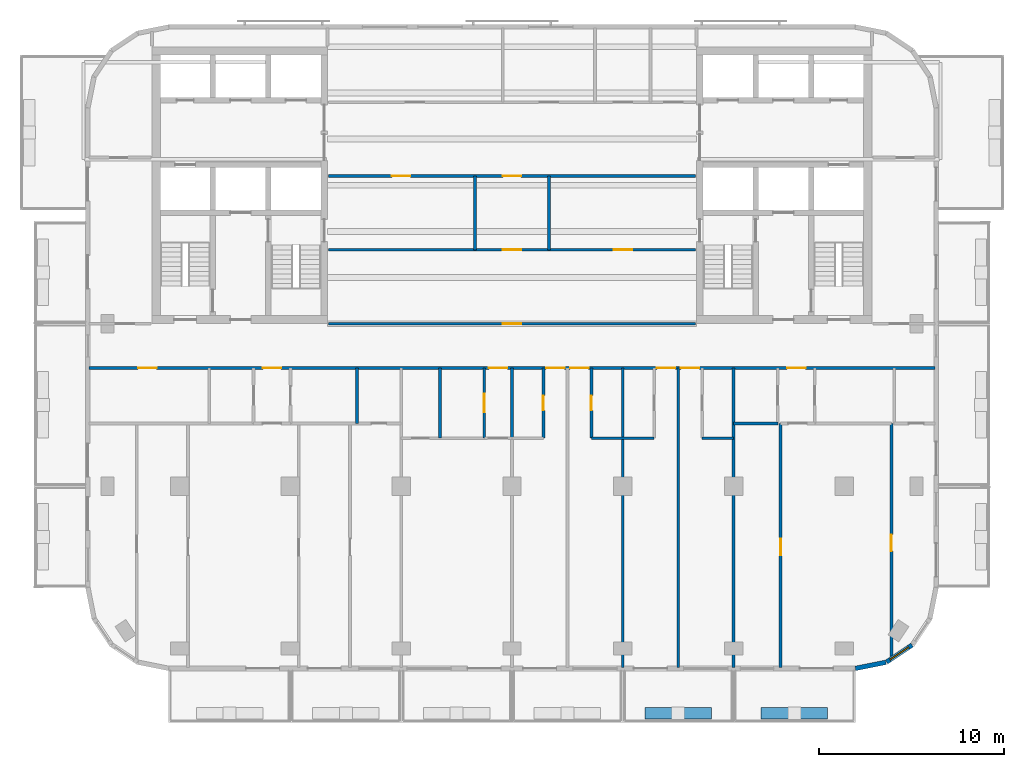
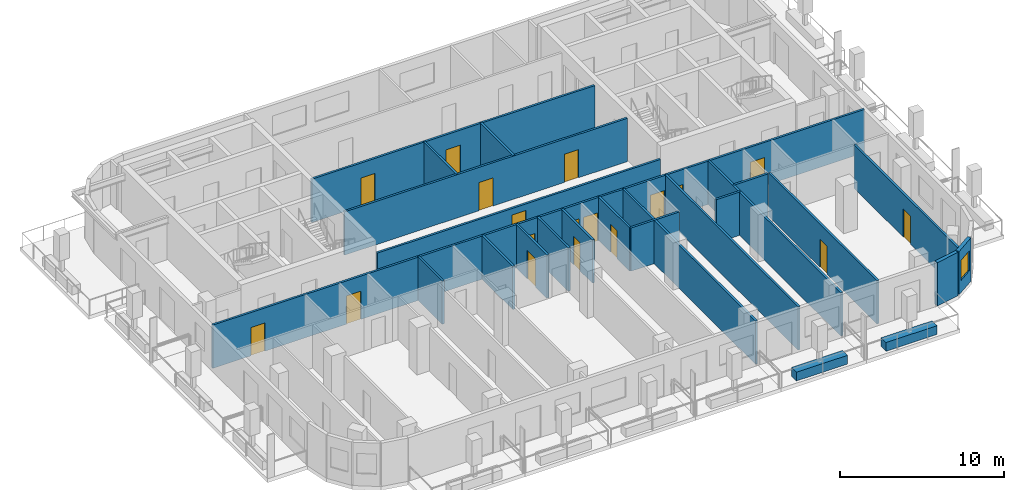
# One storey, part 4 of 11: 24 walls, 18 doors, 1 window, 19 openings.
"""IFC4 building model written with IfcOpenShell, lengths in metres."""

from ifc_helpers import new_model, si_unit, direction, frame, frame_2d, origin, place, context, subcontext, project, spatial, rectangle, extrude, material, layer, layer_set, type_object, element, fill, save


model = new_model("IFC4")

# Units and contexts
model_context = context("Model", 3, precision=1e-05, world=origin(), true_north=direction((0.0, 1.0)))
body_context = subcontext(model_context, "Body", "Model", "MODEL_VIEW")
ifc_project = project(units=[si_unit("LENGTHUNIT", "METRE"), si_unit("AREAUNIT", "SQUARE_METRE"), si_unit("VOLUMEUNIT", "CUBIC_METRE"), si_unit("PLANEANGLEUNIT", "RADIAN"), si_unit("MASSUNIT", "GRAM", prefix="KILO")], contexts=[model_context])

# Site, building, storey
site_placement = place(None, origin())
site = spatial("IfcSite", under=ifc_project, at=site_placement, CompositionType="ELEMENT")
building_placement = place(site_placement, origin())
building = spatial("IfcBuilding", under=site, at=building_placement, Name="Torana Hotel and Residences", CompositionType="ELEMENT")
storey_placement = place(building_placement, frame((0.0, 0.0, 280.60009765625)))
storey = spatial("IfcBuildingStorey", under=building, at=storey_placement, Name="L74", CompositionType="ELEMENT", Elevation=280.60009765625)

# Wall
ifc_material_1 = material(Name="Black aluminium composite panel", Category="aluminium")
ifc_layer_1 = layer(ifc_material_1, 0.00390625, Name="Cladding", Category="cladding")
ifc_material_2 = material(Name="Ventilated air cavity")
ifc_layer_2 = layer(ifc_material_2, 0.0400390625, Name="Ventilated cavity", Category="cavity")
ifc_material_3 = material(Name="Mineral wool insulation")
ifc_layer_3 = layer(ifc_material_3, 0.090087890625, Name="Insulation", Category="insulation")
ifc_material_4 = material(Name="Steel S280GD", Category="steel")
ifc_layer_4 = layer(ifc_material_4, 0.092041015625, Name="Steel stud frame", Category="structure")
ifc_material_5 = material(Name="Fire rated plasterboard")
ifc_layer_5 = layer(ifc_material_5, 0.011962890625, Name="Inner board", Category="finish")
ifc_layer_6 = layer(ifc_material_5, 0.011962890625, Name="Second board", Category="finish")
ifc_layer_set_1 = layer_set([ifc_layer_1, ifc_layer_2, ifc_layer_3, ifc_layer_4, ifc_layer_5, ifc_layer_6], Name="EW1 EXTERNAL WALL BLACK METAL CLAD 250")
wall_type_1 = type_object("IfcWallType", Name="EW1 EXTERNAL WALL BLACK METAL CLAD 250", PredefinedType="SOLIDWALL", material=ifc_layer_set_1)
wall_1_placement = place(storey_placement, frame((18.599853515625, -33.672607421875, 0.0), z_axis=(0.0, 0.0, 1.0), x_axis=(0.980770110232, 0.195166572128, 0.0)))
element("IfcWall", 1, at=wall_1_placement, inside=storey, type_object=wall_type_1, Name="External wall L74 e0.15", PredefinedType="SOLIDWALL", context=body_context, shape_type="SweptSolid", body=[
    extrude(rectangle(XDim=1.68115234375, YDim=0.25, at=frame_2d((0.840576171875, 0.0))), origin(), (0.0, 0.0, 1.0), 3.219970703125),
])

# Wall, opening, window
wall_2_placement = place(storey_placement, frame((20.2939453125, -33.325927734375, 0.0), z_axis=(0.0, 0.0, 1.0), x_axis=(0.831482937015, 0.55555029066, 0.0)))
wall_2 = element("IfcWall", 2, at=wall_2_placement, inside=storey, type_object=wall_type_1, Name="External wall L74 e0.16", PredefinedType="SOLIDWALL", context=body_context, shape_type="SweptSolid", body=[
    extrude(rectangle(XDim=1.65625, YDim=0.25, at=frame_2d((0.828125, 0.0))), origin(), (0.0, 0.0, 1.0), 3.219970703125),
])
opening_1_placement = place(wall_2_placement, frame((0.228271484375, 0.0, 0.89990234375)))
opening_1 = element("IfcOpeningElement", 3, at=opening_1_placement, cuts=wall_2, Name="Opening W5", PredefinedType="OPENING", context=body_context, shape_type="SweptSolid", body=[
    extrude(rectangle(XDim=1.199951171875, YDim=1.5, at=frame_2d((0.60009765625, 0.75))), frame((0.0, 0.135009765625, 0.0), z_axis=(0.0, -1.0, 0.0), x_axis=(1.0, 0.0, 0.0)), (0.0, 0.0, 1.0), 0.27001953125),
])
ifc_material_6 = material(Name="Dark glass in black aluminium frame", Category="aluminium")
window_type = type_object("IfcWindowType", Name="W5 CORNER FACET WINDOW 1200x1500", PartitioningType="SINGLE_PANEL", PredefinedType="WINDOW", material=ifc_material_6)
window_placement = place(opening_1_placement, origin())
window = element("IfcWindow", 4, at=window_placement, inside=storey, type_object=window_type, Name="Window L74 e0.16", OverallHeight=1.5, OverallWidth=1.199951171875, PartitioningType="SINGLE_PANEL", PredefinedType="WINDOW", context=body_context, shape_type="SweptSolid", body=[
    extrude(rectangle(XDim=1.199951171875, YDim=1.5, at=frame_2d((0.60009765625, 0.75))), frame((0.0, 0.030029296875, 0.0), z_axis=(0.0, -1.0, 0.0), x_axis=(1.0, 0.0, 0.0)), (0.0, 0.0, 1.0), 0.06005859375),
])
fill(opening_1, window)

# Walls
ifc_material_7 = material(Name="Gypsum plaster")
ifc_layer_7 = layer(ifc_material_7, 0.014892578125, Name="Plaster", Category="finish")
ifc_material_8 = material(Name="Concrete blockwork", Category="masonry")
ifc_layer_8 = layer(ifc_material_8, 0.1201171875, Name="Blockwork", Category="structure")
ifc_layer_9 = layer(ifc_material_7, 0.014892578125, Name="Plaster", Category="finish")
ifc_layer_set_2 = layer_set([ifc_layer_7, ifc_layer_8, ifc_layer_9], Name="FIRE PARTITION 150 BLOCKWORK")
wall_type_2 = type_object("IfcWallType", Name="FIRE PARTITION 150 BLOCKWORK", PredefinedType="PARTITIONING", material=ifc_layer_set_2)
wall_3_placement = place(storey_placement, frame((2.0, -11.0, 0.0), z_axis=(0.0, 0.0, 1.0), x_axis=(0.0, 1.0, 0.0)))
element("IfcWall", 5, at=wall_3_placement, inside=storey, type_object=wall_type_2, Name="Partition L74", PredefinedType="PARTITIONING", context=body_context, shape_type="SweptSolid", body=[
    extrude(rectangle(XDim=4.0, YDim=0.14990234375, at=frame_2d((2.0, 0.0))), origin(), (0.0, 0.0, 1.0), 3.219970703125),
])
wall_4_placement = place(storey_placement, frame((0.0, -21.199951171875, 0.0), z_axis=(0.0, 0.0, 1.0), x_axis=(0.0, 1.0, 0.0)))
element("IfcWall", 6, at=wall_4_placement, inside=storey, type_object=wall_type_2, Name="Partition L74", PredefinedType="PARTITIONING", context=body_context, shape_type="SweptSolid", body=[
    extrude(rectangle(XDim=3.800048828125, YDim=0.14990234375, at=frame_2d((1.89990234375, 0.0))), origin(), (0.0, 0.0, 1.0), 3.219970703125),
])

# Wall, opening, door
wall_5_placement = place(storey_placement, frame((-1.5, -21.199951171875, 0.0), z_axis=(0.0, 0.0, 1.0), x_axis=(0.0, 1.0, 0.0)))
wall_5 = element("IfcWall", 7, at=wall_5_placement, inside=storey, type_object=wall_type_2, Name="Partition L74", PredefinedType="PARTITIONING", context=body_context, shape_type="SweptSolid", body=[
    extrude(rectangle(XDim=3.800048828125, YDim=0.14990234375, at=frame_2d((1.89990234375, 0.0))), origin(), (0.0, 0.0, 1.0), 3.219970703125),
])
opening_2_placement = place(wall_5_placement, frame((1.39990234375, 0.0, 0.0)))
opening_2 = element("IfcOpeningElement", 8, at=opening_2_placement, cuts=wall_5, Name="Opening L74-37", PredefinedType="OPENING", context=body_context, shape_type="SweptSolid", body=[
    extrude(rectangle(XDim=1.0, YDim=2.10009765625, at=frame_2d((0.5, 1.050048828125))), frame((0.0, 0.0849609375, 0.0), z_axis=(0.0, -1.0, 0.0), x_axis=(1.0, 0.0, 0.0)), (0.0, 0.0, 1.0), 0.169921875),
])
ifc_material_9 = material(Name="Steel S235", Category="steel")
door_type_1 = type_object("IfcDoorType", Name="ENTRY FIRE DOOR D6 1000x2100", OperationType="SINGLE_SWING_LEFT", PredefinedType="DOOR", material=ifc_material_9)
door_1_placement = place(opening_2_placement, origin())
door_1 = element("IfcDoor", 9, at=door_1_placement, inside=storey, type_object=door_type_1, Name="Door L74", OperationType="SINGLE_SWING_RIGHT", OverallHeight=2.10009765625, OverallWidth=1.0, PredefinedType="DOOR", context=body_context, shape_type="SweptSolid", body=[
    extrude(rectangle(XDim=1.0, YDim=2.10009765625, at=frame_2d((0.5, 1.050048828125))), frame((0.0, 0.02490234375, 0.0), z_axis=(0.0, -1.0, 0.0), x_axis=(1.0, 0.0, 0.0)), (0.0, 0.0, 1.0), 0.050048828125),
])
fill(opening_2, door_1)

# Wall
wall_6_placement = place(storey_placement, frame((-2.0, -11.0, 0.0), z_axis=(0.0, 0.0, 1.0), x_axis=(0.0, 1.0, 0.0)))
element("IfcWall", 10, at=wall_6_placement, inside=storey, type_object=wall_type_2, Name="Partition L74", PredefinedType="PARTITIONING", context=body_context, shape_type="SweptSolid", body=[
    extrude(rectangle(XDim=4.0, YDim=0.14990234375, at=frame_2d((2.0, 0.0))), origin(), (0.0, 0.0, 1.0), 3.219970703125),
])

# Wall, openings, doors
wall_7_placement = place(storey_placement, frame((-22.919921875, -17.39990234375, 0.0), z_axis=(0.0, 0.0, 1.0), x_axis=(1.0, 0.0, 0.0)))
wall_7 = element("IfcWall", 11, at=wall_7_placement, inside=storey, type_object=wall_type_2, Name="Partition L74", PredefinedType="PARTITIONING", context=body_context, shape_type="SweptSolid", body=[
    extrude(rectangle(XDim=45.83984375, YDim=0.14990234375, at=frame_2d((22.919921875, 0.0))), origin(), (0.0, 0.0, 1.0), 3.219970703125),
])
opening_3_placement = place(wall_7_placement, frame((21.669921875, 0.0, 0.0)))
opening_3 = element("IfcOpeningElement", 12, at=opening_3_placement, cuts=wall_7, Name="Opening L74-18", PredefinedType="OPENING", context=body_context, shape_type="SweptSolid", body=[
    extrude(rectangle(XDim=1.0, YDim=2.10009765625, at=frame_2d((0.5, 1.050048828125))), frame((0.0, 0.0849609375, 0.0), z_axis=(0.0, -1.0, 0.0), x_axis=(1.0, 0.0, 0.0)), (0.0, 0.0, 1.0), 0.169921875),
])
opening_4_placement = place(wall_7_placement, frame((24.77001953125, 0.0, 0.0)))
opening_4 = element("IfcOpeningElement", 13, at=opening_4_placement, cuts=wall_7, Name="Opening L74-19", PredefinedType="OPENING", context=body_context, shape_type="SweptSolid", body=[
    extrude(rectangle(XDim=1.0, YDim=2.10009765625, at=frame_2d((0.5, 1.050048828125))), frame((0.0, 0.0849609375, 0.0), z_axis=(0.0, -1.0, 0.0), x_axis=(1.0, 0.0, 0.0)), (0.0, 0.0, 1.0), 0.169921875),
])
opening_5_placement = place(wall_7_placement, frame((26.070068359375, 0.0, 0.0)))
opening_5 = element("IfcOpeningElement", 14, at=opening_5_placement, cuts=wall_7, Name="Opening L74-20", PredefinedType="OPENING", context=body_context, shape_type="SweptSolid", body=[
    extrude(rectangle(XDim=1.0, YDim=2.10009765625, at=frame_2d((0.5, 1.050048828125))), frame((0.0, 0.0849609375, 0.0), z_axis=(0.0, -1.0, 0.0), x_axis=(1.0, 0.0, 0.0)), (0.0, 0.0, 1.0), 0.169921875),
])
opening_6_placement = place(wall_7_placement, frame((30.77001953125, 0.0, 0.0)))
opening_6 = element("IfcOpeningElement", 15, at=opening_6_placement, cuts=wall_7, Name="Opening L74-21", PredefinedType="OPENING", context=body_context, shape_type="SweptSolid", body=[
    extrude(rectangle(XDim=1.0, YDim=2.10009765625, at=frame_2d((0.5, 1.050048828125))), frame((0.0, 0.0849609375, 0.0), z_axis=(0.0, -1.0, 0.0), x_axis=(1.0, 0.0, 0.0)), (0.0, 0.0, 1.0), 0.169921875),
])
opening_7_placement = place(wall_7_placement, frame((32.070068359375, 0.0, 0.0)))
opening_7 = element("IfcOpeningElement", 16, at=opening_7_placement, cuts=wall_7, Name="Opening L74-22", PredefinedType="OPENING", context=body_context, shape_type="SweptSolid", body=[
    extrude(rectangle(XDim=1.0, YDim=2.10009765625, at=frame_2d((0.5, 1.050048828125))), frame((0.0, 0.0849609375, 0.0), z_axis=(0.0, -1.0, 0.0), x_axis=(1.0, 0.0, 0.0)), (0.0, 0.0, 1.0), 0.169921875),
])
opening_8_placement = place(wall_7_placement, frame((9.419921875, 0.0, 0.0)))
opening_8 = element("IfcOpeningElement", 17, at=opening_8_placement, cuts=wall_7, Name="Opening L74-23", PredefinedType="OPENING", context=body_context, shape_type="SweptSolid", body=[
    extrude(rectangle(XDim=1.0, YDim=2.10009765625, at=frame_2d((0.5, 1.050048828125))), frame((0.0, 0.0849609375, 0.0), z_axis=(0.0, -1.0, 0.0), x_axis=(1.0, 0.0, 0.0)), (0.0, 0.0, 1.0), 0.169921875),
])
opening_9_placement = place(wall_7_placement, frame((2.669921875, 0.0, 0.0)))
opening_9 = element("IfcOpeningElement", 18, at=opening_9_placement, cuts=wall_7, Name="Opening L74-24", PredefinedType="OPENING", context=body_context, shape_type="SweptSolid", body=[
    extrude(rectangle(XDim=1.0, YDim=2.10009765625, at=frame_2d((0.5, 1.050048828125))), frame((0.0, 0.0849609375, 0.0), z_axis=(0.0, -1.0, 0.0), x_axis=(1.0, 0.0, 0.0)), (0.0, 0.0, 1.0), 0.169921875),
])
opening_10_placement = place(wall_7_placement, frame((37.820068359375, 0.0, 0.0)))
opening_10 = element("IfcOpeningElement", 19, at=opening_10_placement, cuts=wall_7, Name="Opening L74-25", PredefinedType="OPENING", context=body_context, shape_type="SweptSolid", body=[
    extrude(rectangle(XDim=1.0, YDim=2.10009765625, at=frame_2d((0.5, 1.050048828125))), frame((0.0, 0.0849609375, 0.0), z_axis=(0.0, -1.0, 0.0), x_axis=(1.0, 0.0, 0.0)), (0.0, 0.0, 1.0), 0.169921875),
])
door_2_placement = place(opening_3_placement, origin())
door_2 = element("IfcDoor", 20, at=door_2_placement, inside=storey, type_object=door_type_1, Name="Door L74", OperationType="SINGLE_SWING_RIGHT", OverallHeight=2.10009765625, OverallWidth=1.0, PredefinedType="DOOR", context=body_context, shape_type="SweptSolid", body=[
    extrude(rectangle(XDim=1.0, YDim=2.10009765625, at=frame_2d((0.5, 1.050048828125))), frame((0.0, 0.02490234375, 0.0), z_axis=(0.0, -1.0, 0.0), x_axis=(1.0, 0.0, 0.0)), (0.0, 0.0, 1.0), 0.050048828125),
])
fill(opening_3, door_2)
door_3_placement = place(opening_4_placement, frame((0.5, 0.0, 0.0), z_axis=(0.0, 0.0, 1.0), x_axis=(-1.0, 0.0, 0.0)))
door_3 = element("IfcDoor", 21, at=door_3_placement, inside=storey, type_object=door_type_1, Name="Door L74", OperationType="SINGLE_SWING_LEFT", OverallHeight=2.10009765625, OverallWidth=1.0, PredefinedType="DOOR", context=body_context, shape_type="SweptSolid", body=[
    extrude(rectangle(XDim=1.0, YDim=2.10009765625, at=frame_2d((0.0, 1.050048828125))), frame((0.0, -0.02490234375, 0.0), z_axis=(0.0, 1.0, 0.0), x_axis=(-1.0, 0.0, 0.0)), (0.0, 0.0, 1.0), 0.050048828125),
])
fill(opening_4, door_3)
door_4_placement = place(opening_5_placement, frame((0.5, 0.0, 0.0), z_axis=(0.0, 0.0, 1.0), x_axis=(-1.0, 0.0, 0.0)))
door_4 = element("IfcDoor", 22, at=door_4_placement, inside=storey, type_object=door_type_1, Name="Door L74", OperationType="SINGLE_SWING_LEFT", OverallHeight=2.10009765625, OverallWidth=1.0, PredefinedType="DOOR", context=body_context, shape_type="SweptSolid", body=[
    extrude(rectangle(XDim=1.0, YDim=2.10009765625, at=frame_2d((0.0, 1.050048828125))), frame((0.0, -0.02490234375, 0.0), z_axis=(0.0, 1.0, 0.0), x_axis=(-1.0, 0.0, 0.0)), (0.0, 0.0, 1.0), 0.050048828125),
])
fill(opening_5, door_4)
door_5_placement = place(opening_6_placement, frame((0.5, 0.0, 0.0), z_axis=(0.0, 0.0, 1.0), x_axis=(-1.0, 0.0, 0.0)))
door_5 = element("IfcDoor", 23, at=door_5_placement, inside=storey, type_object=door_type_1, Name="Door L74", OperationType="SINGLE_SWING_LEFT", OverallHeight=2.10009765625, OverallWidth=1.0, PredefinedType="DOOR", context=body_context, shape_type="SweptSolid", body=[
    extrude(rectangle(XDim=1.0, YDim=2.10009765625, at=frame_2d((0.0, 1.050048828125))), frame((0.0, -0.02490234375, 0.0), z_axis=(0.0, 1.0, 0.0), x_axis=(-1.0, 0.0, 0.0)), (0.0, 0.0, 1.0), 0.050048828125),
])
fill(opening_6, door_5)
door_6_placement = place(opening_7_placement, frame((0.5, 0.0, 0.0), z_axis=(0.0, 0.0, 1.0), x_axis=(-1.0, 0.0, 0.0)))
door_6 = element("IfcDoor", 24, at=door_6_placement, inside=storey, type_object=door_type_1, Name="Door L74", OperationType="SINGLE_SWING_LEFT", OverallHeight=2.10009765625, OverallWidth=1.0, PredefinedType="DOOR", context=body_context, shape_type="SweptSolid", body=[
    extrude(rectangle(XDim=1.0, YDim=2.10009765625, at=frame_2d((0.0, 1.050048828125))), frame((0.0, -0.02490234375, 0.0), z_axis=(0.0, 1.0, 0.0), x_axis=(-1.0, 0.0, 0.0)), (0.0, 0.0, 1.0), 0.050048828125),
])
fill(opening_7, door_6)
door_7_placement = place(opening_8_placement, origin())
door_7 = element("IfcDoor", 25, at=door_7_placement, inside=storey, type_object=door_type_1, Name="Door L74", OperationType="SINGLE_SWING_RIGHT", OverallHeight=2.10009765625, OverallWidth=1.0, PredefinedType="DOOR", context=body_context, shape_type="SweptSolid", body=[
    extrude(rectangle(XDim=1.0, YDim=2.10009765625, at=frame_2d((0.5, 1.050048828125))), frame((0.0, 0.02490234375, 0.0), z_axis=(0.0, -1.0, 0.0), x_axis=(1.0, 0.0, 0.0)), (0.0, 0.0, 1.0), 0.050048828125),
])
fill(opening_8, door_7)
door_8_placement = place(opening_9_placement, frame((0.5, 0.0, 0.0), z_axis=(0.0, 0.0, 1.0), x_axis=(-1.0, 0.0, 0.0)))
door_8 = element("IfcDoor", 26, at=door_8_placement, inside=storey, type_object=door_type_1, Name="Door L74", OperationType="SINGLE_SWING_LEFT", OverallHeight=2.10009765625, OverallWidth=1.0, PredefinedType="DOOR", context=body_context, shape_type="SweptSolid", body=[
    extrude(rectangle(XDim=1.0, YDim=2.10009765625, at=frame_2d((0.0, 1.050048828125))), frame((0.0, -0.02490234375, 0.0), z_axis=(0.0, 1.0, 0.0), x_axis=(-1.0, 0.0, 0.0)), (0.0, 0.0, 1.0), 0.050048828125),
])
fill(opening_9, door_8)
door_9_placement = place(opening_10_placement, origin())
door_9 = element("IfcDoor", 27, at=door_9_placement, inside=storey, type_object=door_type_1, Name="Door L74", OperationType="SINGLE_SWING_RIGHT", OverallHeight=2.10009765625, OverallWidth=1.0, PredefinedType="DOOR", context=body_context, shape_type="SweptSolid", body=[
    extrude(rectangle(XDim=1.0, YDim=2.10009765625, at=frame_2d((0.5, 1.050048828125))), frame((0.0, 0.02490234375, 0.0), z_axis=(0.0, -1.0, 0.0), x_axis=(1.0, 0.0, 0.0)), (0.0, 0.0, 1.0), 0.050048828125),
])
fill(opening_10, door_9)

# Wall, opening, door
wall_8_placement = place(storey_placement, frame((-9.949951171875, -15.0, 0.0), z_axis=(0.0, 0.0, 1.0), x_axis=(1.0, 0.0, 0.0)))
wall_8 = element("IfcWall", 28, at=wall_8_placement, inside=storey, type_object=wall_type_2, Name="Partition L74", PredefinedType="PARTITIONING", context=body_context, shape_type="SweptSolid", body=[
    extrude(rectangle(XDim=19.89990234375, YDim=0.14990234375, at=frame_2d((9.949951171875, 0.0))), origin(), (0.0, 0.0, 1.0), 2.583984375),
])
opening_11_placement = place(wall_8_placement, frame((9.449951171875, 0.0, 0.0)))
opening_11 = element("IfcOpeningElement", 29, at=opening_11_placement, cuts=wall_8, Name="Opening L74-17", PredefinedType="OPENING", context=body_context, shape_type="SweptSolid", body=[
    extrude(rectangle(XDim=1.0, YDim=2.10009765625, at=frame_2d((0.5, 1.050048828125))), frame((0.0, 0.0849609375, 0.0), z_axis=(0.0, -1.0, 0.0), x_axis=(1.0, 0.0, 0.0)), (0.0, 0.0, 1.0), 0.169921875),
])
door_10_placement = place(opening_11_placement, origin())
door_10 = element("IfcDoor", 30, at=door_10_placement, inside=storey, type_object=door_type_1, Name="Door L74", OperationType="SINGLE_SWING_RIGHT", OverallHeight=2.10009765625, OverallWidth=1.0, PredefinedType="DOOR", context=body_context, shape_type="SweptSolid", body=[
    extrude(rectangle(XDim=1.0, YDim=2.10009765625, at=frame_2d((0.5, 1.050048828125))), frame((0.0, 0.02490234375, 0.0), z_axis=(0.0, -1.0, 0.0), x_axis=(1.0, 0.0, 0.0)), (0.0, 0.0, 1.0), 0.050048828125),
])
fill(opening_11, door_10)

# Wall, openings, doors
wall_9_placement = place(storey_placement, frame((-9.949951171875, -11.0, 0.0), z_axis=(0.0, 0.0, 1.0), x_axis=(1.0, 0.0, 0.0)))
wall_9 = element("IfcWall", 31, at=wall_9_placement, inside=storey, type_object=wall_type_2, Name="Partition L74", PredefinedType="PARTITIONING", context=body_context, shape_type="SweptSolid", body=[
    extrude(rectangle(XDim=19.89990234375, YDim=0.14990234375, at=frame_2d((9.949951171875, 0.0))), origin(), (0.0, 0.0, 1.0), 3.219970703125),
])
opening_12_placement = place(wall_9_placement, frame((9.449951171875, 0.0, 0.0)))
opening_12 = element("IfcOpeningElement", 32, at=opening_12_placement, cuts=wall_9, Name="Opening L74-28", PredefinedType="OPENING", context=body_context, shape_type="SweptSolid", body=[
    extrude(rectangle(XDim=1.0, YDim=2.10009765625, at=frame_2d((0.5, 1.050048828125))), frame((0.0, 0.0849609375, 0.0), z_axis=(0.0, -1.0, 0.0), x_axis=(1.0, 0.0, 0.0)), (0.0, 0.0, 1.0), 0.169921875),
])
opening_13_placement = place(wall_9_placement, frame((15.449951171875, 0.0, 0.0)))
opening_13 = element("IfcOpeningElement", 33, at=opening_13_placement, cuts=wall_9, Name="Opening L74-29", PredefinedType="OPENING", context=body_context, shape_type="SweptSolid", body=[
    extrude(rectangle(XDim=1.0, YDim=2.10009765625, at=frame_2d((0.5, 1.050048828125))), frame((0.0, 0.0849609375, 0.0), z_axis=(0.0, -1.0, 0.0), x_axis=(1.0, 0.0, 0.0)), (0.0, 0.0, 1.0), 0.169921875),
])
door_11_placement = place(opening_12_placement, origin())
door_11 = element("IfcDoor", 34, at=door_11_placement, inside=storey, type_object=door_type_1, Name="Door L74", OperationType="SINGLE_SWING_RIGHT", OverallHeight=2.10009765625, OverallWidth=1.0, PredefinedType="DOOR", context=body_context, shape_type="SweptSolid", body=[
    extrude(rectangle(XDim=1.0, YDim=2.10009765625, at=frame_2d((0.5, 1.050048828125))), frame((0.0, 0.02490234375, 0.0), z_axis=(0.0, -1.0, 0.0), x_axis=(1.0, 0.0, 0.0)), (0.0, 0.0, 1.0), 0.050048828125),
])
fill(opening_12, door_11)
door_12_placement = place(opening_13_placement, origin())
door_12 = element("IfcDoor", 35, at=door_12_placement, inside=storey, type_object=door_type_1, Name="Door L74", OperationType="SINGLE_SWING_RIGHT", OverallHeight=2.10009765625, OverallWidth=1.0, PredefinedType="DOOR", context=body_context, shape_type="SweptSolid", body=[
    extrude(rectangle(XDim=1.0, YDim=2.10009765625, at=frame_2d((0.5, 1.050048828125))), frame((0.0, 0.02490234375, 0.0), z_axis=(0.0, -1.0, 0.0), x_axis=(1.0, 0.0, 0.0)), (0.0, 0.0, 1.0), 0.050048828125),
])
fill(opening_13, door_12)

wall_10_placement = place(storey_placement, frame((-9.949951171875, -7.0, 0.0), z_axis=(0.0, 0.0, 1.0), x_axis=(1.0, 0.0, 0.0)))
wall_10 = element("IfcWall", 36, at=wall_10_placement, inside=storey, type_object=wall_type_2, Name="Partition L74", PredefinedType="PARTITIONING", context=body_context, shape_type="SweptSolid", body=[
    extrude(rectangle(XDim=19.89990234375, YDim=0.14990234375, at=frame_2d((9.949951171875, 0.0))), origin(), (0.0, 0.0, 1.0), 3.219970703125),
])
opening_14_placement = place(wall_10_placement, frame((9.449951171875, 0.0, 0.0)))
opening_14 = element("IfcOpeningElement", 37, at=opening_14_placement, cuts=wall_10, Name="Opening L74-30", PredefinedType="OPENING", context=body_context, shape_type="SweptSolid", body=[
    extrude(rectangle(XDim=1.0, YDim=2.10009765625, at=frame_2d((0.5, 1.050048828125))), frame((0.0, 0.0849609375, 0.0), z_axis=(0.0, -1.0, 0.0), x_axis=(1.0, 0.0, 0.0)), (0.0, 0.0, 1.0), 0.169921875),
])
opening_15_placement = place(wall_10_placement, frame((3.449951171875, 0.0, 0.0)))
opening_15 = element("IfcOpeningElement", 38, at=opening_15_placement, cuts=wall_10, Name="Opening L74-31", PredefinedType="OPENING", context=body_context, shape_type="SweptSolid", body=[
    extrude(rectangle(XDim=1.0, YDim=2.10009765625, at=frame_2d((0.5, 1.050048828125))), frame((0.0, 0.0849609375, 0.0), z_axis=(0.0, -1.0, 0.0), x_axis=(1.0, 0.0, 0.0)), (0.0, 0.0, 1.0), 0.169921875),
])
door_13_placement = place(opening_14_placement, origin())
door_13 = element("IfcDoor", 39, at=door_13_placement, inside=storey, type_object=door_type_1, Name="Door L74", OperationType="SINGLE_SWING_RIGHT", OverallHeight=2.10009765625, OverallWidth=1.0, PredefinedType="DOOR", context=body_context, shape_type="SweptSolid", body=[
    extrude(rectangle(XDim=1.0, YDim=2.10009765625, at=frame_2d((0.5, 1.050048828125))), frame((0.0, 0.02490234375, 0.0), z_axis=(0.0, -1.0, 0.0), x_axis=(1.0, 0.0, 0.0)), (0.0, 0.0, 1.0), 0.050048828125),
])
fill(opening_14, door_13)
door_14_placement = place(opening_15_placement, frame((0.5, 0.0, 0.0), z_axis=(0.0, 0.0, 1.0), x_axis=(-1.0, 0.0, 0.0)))
door_14 = element("IfcDoor", 40, at=door_14_placement, inside=storey, type_object=door_type_1, Name="Door L74", OperationType="SINGLE_SWING_LEFT", OverallHeight=2.10009765625, OverallWidth=1.0, PredefinedType="DOOR", context=body_context, shape_type="SweptSolid", body=[
    extrude(rectangle(XDim=1.0, YDim=2.10009765625, at=frame_2d((0.0, 1.050048828125))), frame((0.0, -0.02490234375, 0.0), z_axis=(0.0, 1.0, 0.0), x_axis=(-1.0, 0.0, 0.0)), (0.0, 0.0, 1.0), 0.050048828125),
])
fill(opening_15, door_14)

# Wall, opening, door
ifc_material_10 = material(Name="Gypsum plasterboard")
ifc_layer_10 = layer(ifc_material_10, 0.012451171875, Name="Plasterboard", Category="finish")
ifc_layer_11 = layer(ifc_material_10, 0.012451171875, Name="Plasterboard", Category="finish")
ifc_layer_12 = layer(ifc_material_4, 0.10009765625, Name="Steel studs with mineral wool", Category="insulation")
ifc_layer_13 = layer(ifc_material_10, 0.012451171875, Name="Plasterboard", Category="finish")
ifc_layer_14 = layer(ifc_material_10, 0.012451171875, Name="Plasterboard", Category="finish")
ifc_layer_set_3 = layer_set([ifc_layer_10, ifc_layer_11, ifc_layer_12, ifc_layer_13, ifc_layer_14], Name="PARTITION 150 PLASTERBOARD")
wall_type_3 = type_object("IfcWallType", Name="PARTITION 150 PLASTERBOARD", PredefinedType="PARTITIONING", material=ifc_layer_set_3)
wall_11_placement = place(storey_placement, frame((20.550048828125, -33.0166015625, 0.0), z_axis=(0.0, 0.0, 1.0), x_axis=(0.0, 1.0, 0.0)))
wall_11 = element("IfcWall", 41, at=wall_11_placement, inside=storey, type_object=wall_type_3, Name="Partition L74", PredefinedType="PARTITIONING", context=body_context, shape_type="SweptSolid", body=[
    extrude(rectangle(XDim=12.61669921875, YDim=0.14990234375, at=frame_2d((6.308349609375, 0.0))), origin(), (0.0, 0.0, 1.0), 3.219970703125),
])
opening_16_placement = place(wall_11_placement, frame((5.696533203125, 0.0, 0.0)))
opening_16 = element("IfcOpeningElement", 42, at=opening_16_placement, cuts=wall_11, Name="Opening L74-56", PredefinedType="OPENING", context=body_context, shape_type="SweptSolid", body=[
    extrude(rectangle(XDim=0.89990234375, YDim=2.10009765625, at=frame_2d((0.449951171875, 1.050048828125))), frame((0.0, 0.0849609375, 0.0), z_axis=(0.0, -1.0, 0.0), x_axis=(1.0, 0.0, 0.0)), (0.0, 0.0, 1.0), 0.169921875),
])
ifc_material_11 = material(Name="Timber door, oiled ash", Category="wood")
door_type_2 = type_object("IfcDoorType", Name="ROOM DOOR D7 900x2100", OperationType="SINGLE_SWING_LEFT", PredefinedType="DOOR", material=ifc_material_11)
door_15_placement = place(opening_16_placement, origin())
door_15 = element("IfcDoor", 43, at=door_15_placement, inside=storey, type_object=door_type_2, Name="Door L74", OperationType="SINGLE_SWING_RIGHT", OverallHeight=2.10009765625, OverallWidth=0.89990234375, PredefinedType="DOOR", context=body_context, shape_type="SweptSolid", body=[
    extrude(rectangle(XDim=0.89990234375, YDim=2.10009765625, at=frame_2d((0.449951171875, 1.050048828125))), frame((0.0, 0.02490234375, 0.0), z_axis=(0.0, -1.0, 0.0), x_axis=(1.0, 0.0, 0.0)), (0.0, 0.0, 1.0), 0.050048828125),
])
fill(opening_16, door_15)

wall_12_placement = place(storey_placement, frame((14.550048828125, -33.6201171875, 0.0), z_axis=(0.0, 0.0, 1.0), x_axis=(0.0, 1.0, 0.0)))
wall_12 = element("IfcWall", 44, at=wall_12_placement, inside=storey, type_object=wall_type_3, Name="Partition L74", PredefinedType="PARTITIONING", context=body_context, shape_type="SweptSolid", body=[
    extrude(rectangle(XDim=13.22021484375, YDim=0.14990234375, at=frame_2d((6.610107421875, 0.0))), origin(), (0.0, 0.0, 1.0), 3.219970703125),
])
opening_17_placement = place(wall_12_placement, frame((6.070068359375, 0.0, 0.0)))
opening_17 = element("IfcOpeningElement", 45, at=opening_17_placement, cuts=wall_12, Name="Opening L74-55", PredefinedType="OPENING", context=body_context, shape_type="SweptSolid", body=[
    extrude(rectangle(XDim=0.89990234375, YDim=2.10009765625, at=frame_2d((0.449951171875, 1.050048828125))), frame((0.0, 0.0849609375, 0.0), z_axis=(0.0, -1.0, 0.0), x_axis=(1.0, 0.0, 0.0)), (0.0, 0.0, 1.0), 0.169921875),
])
door_16_placement = place(opening_17_placement, origin())
door_16 = element("IfcDoor", 46, at=door_16_placement, inside=storey, type_object=door_type_2, Name="Door L74", OperationType="SINGLE_SWING_RIGHT", OverallHeight=2.10009765625, OverallWidth=0.89990234375, PredefinedType="DOOR", context=body_context, shape_type="SweptSolid", body=[
    extrude(rectangle(XDim=0.89990234375, YDim=2.10009765625, at=frame_2d((0.449951171875, 1.050048828125))), frame((0.0, 0.02490234375, 0.0), z_axis=(0.0, -1.0, 0.0), x_axis=(1.0, 0.0, 0.0)), (0.0, 0.0, 1.0), 0.050048828125),
])
fill(opening_17, door_16)

# Walls
for number, where, z_axis, x_axis, name in (
    (47, (12.0, -33.6201171875, 0.0), (0.0, 0.0, 1.0), (0.0, 1.0, 0.0), "Partition L74"),
    (48, (9.0, -33.6201171875, 0.0), (0.0, 0.0, 1.0), (0.0, 1.0, 0.0), "Partition L74"),
    (49, (6.0, -33.6201171875, 0.0), (0.0, 0.0, 1.0), (0.0, 1.0, 0.0), "Partition L74"),
):
    element("IfcWall", number, at=place(storey_placement, frame(where, z_axis=z_axis, x_axis=x_axis)), inside=storey, type_object=wall_type_3, Name=name, PredefinedType="PARTITIONING", context=body_context, shape_type="SweptSolid", body=[
        extrude(rectangle(XDim=16.22021484375, YDim=0.14990234375, at=frame_2d((8.110107421875, 0.0))), origin(), (0.0, 0.0, 1.0), 3.219970703125),
    ])

# Wall, opening, door
wall_13_placement = place(storey_placement, frame((4.300048828125, -21.199951171875, 0.0), z_axis=(0.0, 0.0, 1.0), x_axis=(0.0, 1.0, 0.0)))
wall_13 = element("IfcWall", 50, at=wall_13_placement, inside=storey, type_object=wall_type_3, Name="Partition L74", PredefinedType="PARTITIONING", context=body_context, shape_type="SweptSolid", body=[
    extrude(rectangle(XDim=3.800048828125, YDim=0.14990234375, at=frame_2d((1.89990234375, 0.0))), origin(), (0.0, 0.0, 1.0), 3.219970703125),
])
opening_18_placement = place(wall_13_placement, frame((1.5, 0.0, 0.0)))
opening_18 = element("IfcOpeningElement", 51, at=opening_18_placement, cuts=wall_13, Name="Opening L74-40", PredefinedType="OPENING", context=body_context, shape_type="SweptSolid", body=[
    extrude(rectangle(XDim=0.800048828125, YDim=2.10009765625, at=frame_2d((0.39990234375, 1.050048828125))), frame((0.0, 0.0849609375, 0.0), z_axis=(0.0, -1.0, 0.0), x_axis=(1.0, 0.0, 0.0)), (0.0, 0.0, 1.0), 0.169921875),
])
ifc_material_12 = material(Name="Timber door, painted", Category="wood")
door_type_3 = type_object("IfcDoorType", Name="BATH DOOR D13 800x2100", OperationType="SINGLE_SWING_LEFT", PredefinedType="DOOR", material=ifc_material_12)
door_17_placement = place(opening_18_placement, origin())
door_17 = element("IfcDoor", 52, at=door_17_placement, inside=storey, type_object=door_type_3, Name="Door L74", OperationType="SINGLE_SWING_RIGHT", OverallHeight=2.10009765625, OverallWidth=0.800048828125, PredefinedType="DOOR", context=body_context, shape_type="SweptSolid", body=[
    extrude(rectangle(XDim=0.800048828125, YDim=2.10009765625, at=frame_2d((0.39990234375, 1.050048828125))), frame((0.0, 0.02490234375, 0.0), z_axis=(0.0, -1.0, 0.0), x_axis=(1.0, 0.0, 0.0)), (0.0, 0.0, 1.0), 0.050048828125),
])
fill(opening_18, door_17)

wall_14_placement = place(storey_placement, frame((1.699951171875, -21.199951171875, 0.0), z_axis=(0.0, 0.0, 1.0), x_axis=(0.0, 1.0, 0.0)))
wall_14 = element("IfcWall", 53, at=wall_14_placement, inside=storey, type_object=wall_type_3, Name="Partition L74", PredefinedType="PARTITIONING", context=body_context, shape_type="SweptSolid", body=[
    extrude(rectangle(XDim=3.800048828125, YDim=0.14990234375, at=frame_2d((1.89990234375, 0.0))), origin(), (0.0, 0.0, 1.0), 3.219970703125),
])
opening_19_placement = place(wall_14_placement, frame((1.5, 0.0, 0.0)))
opening_19 = element("IfcOpeningElement", 54, at=opening_19_placement, cuts=wall_14, Name="Opening L74-39", PredefinedType="OPENING", context=body_context, shape_type="SweptSolid", body=[
    extrude(rectangle(XDim=0.800048828125, YDim=2.10009765625, at=frame_2d((0.39990234375, 1.050048828125))), frame((0.0, 0.0849609375, 0.0), z_axis=(0.0, -1.0, 0.0), x_axis=(1.0, 0.0, 0.0)), (0.0, 0.0, 1.0), 0.169921875),
])
door_18_placement = place(opening_19_placement, origin())
door_18 = element("IfcDoor", 55, at=door_18_placement, inside=storey, type_object=door_type_3, Name="Door L74", OperationType="SINGLE_SWING_RIGHT", OverallHeight=2.10009765625, OverallWidth=0.800048828125, PredefinedType="DOOR", context=body_context, shape_type="SweptSolid", body=[
    extrude(rectangle(XDim=0.800048828125, YDim=2.10009765625, at=frame_2d((0.39990234375, 1.050048828125))), frame((0.0, 0.02490234375, 0.0), z_axis=(0.0, -1.0, 0.0), x_axis=(1.0, 0.0, 0.0)), (0.0, 0.0, 1.0), 0.050048828125),
])
fill(opening_19, door_18)

# Walls
wall_15_placement = place(storey_placement, frame((-3.89990234375, -21.199951171875, 0.0), z_axis=(0.0, 0.0, 1.0), x_axis=(0.0, 1.0, 0.0)))
element("IfcWall", 56, at=wall_15_placement, inside=storey, type_object=wall_type_3, Name="Partition L74", PredefinedType="PARTITIONING", context=body_context, shape_type="SweptSolid", body=[
    extrude(rectangle(XDim=3.800048828125, YDim=0.14990234375, at=frame_2d((1.89990234375, 0.0))), origin(), (0.0, 0.0, 1.0), 3.219970703125),
])
wall_16_placement = place(storey_placement, frame((-8.39990234375, -20.39990234375, 0.0), z_axis=(0.0, 0.0, 1.0), x_axis=(0.0, 1.0, 0.0)))
element("IfcWall", 57, at=wall_16_placement, inside=storey, type_object=wall_type_3, Name="Partition L74", PredefinedType="PARTITIONING", context=body_context, shape_type="SweptSolid", body=[
    extrude(rectangle(XDim=3.0, YDim=0.14990234375, at=frame_2d((1.5, 0.0))), origin(), (0.0, 0.0, 1.0), 3.219970703125),
])
wall_17_placement = place(storey_placement, frame((4.300048828125, -21.199951171875, 0.0), z_axis=(0.0, 0.0, 1.0), x_axis=(1.0, 0.0, 0.0)))
element("IfcWall", 58, at=wall_17_placement, inside=storey, type_object=wall_type_3, Name="Partition L74", PredefinedType="PARTITIONING", context=body_context, shape_type="SweptSolid", body=[
    extrude(rectangle(XDim=3.39990234375, YDim=0.14990234375, at=frame_2d((1.699951171875, 0.0))), origin(), (0.0, 0.0, 1.0), 3.219970703125),
])
wall_18_placement = place(storey_placement, frame((10.300048828125, -21.199951171875, 0.0), z_axis=(0.0, 0.0, 1.0), x_axis=(1.0, 0.0, 0.0)))
element("IfcWall", 59, at=wall_18_placement, inside=storey, type_object=wall_type_3, Name="Partition L74", PredefinedType="PARTITIONING", context=body_context, shape_type="SweptSolid", body=[
    extrude(rectangle(XDim=1.699951171875, YDim=0.14990234375, at=frame_2d((0.85009765625, 0.0))), origin(), (0.0, 0.0, 1.0), 3.219970703125),
])
wall_19_placement = place(storey_placement, frame((12.0, -20.39990234375, 0.0), z_axis=(0.0, 0.0, 1.0), x_axis=(1.0, 0.0, 0.0)))
element("IfcWall", 60, at=wall_19_placement, inside=storey, type_object=wall_type_3, Name="Partition L74", PredefinedType="PARTITIONING", context=body_context, shape_type="SweptSolid", body=[
    extrude(rectangle(XDim=2.39990234375, YDim=0.14990234375, at=frame_2d((1.199951171875, 0.0))), origin(), (0.0, 0.0, 1.0), 3.219970703125),
])
ifc_material_13 = material(Name="Concrete C40/50 precast", Category="concrete")
ifc_layer_15 = layer(ifc_material_13, 0.10009765625, Name="Planter shell", Category="structure")
ifc_material_14 = material(Name="Root resistant membrane")
ifc_layer_16 = layer(ifc_material_14, 0.00390625, Name="Waterproofing membrane", Category="membrane")
ifc_material_15 = material(Name="Drainage board with filter fleece")
ifc_layer_17 = layer(ifc_material_15, 0.02001953125, Name="Drainage board", Category="drainage")
ifc_material_16 = material(Name="Growing medium")
ifc_layer_18 = layer(ifc_material_16, 0.47607421875, Name="Planting substrate", Category="soil")
ifc_layer_set_4 = layer_set([ifc_layer_15, ifc_layer_16, ifc_layer_17, ifc_layer_18], Name="PL1 BALCONY PLANTER 600")
wall_type_4 = type_object("IfcWallType", Name="PL1 BALCONY PLANTER 600", PredefinedType="USERDEFINED", material=ifc_layer_set_4)
for number, where, z_axis, x_axis, name in (
    (61, (10.800048828125, -36.10009765625, 0.0), (0.0, 0.0, 1.0), (-1.0, 0.0, 0.0), "Planter 05"),
    (62, (17.10009765625, -36.10009765625, 0.0), (0.0, 0.0, 1.0), (-1.0, 0.0, 0.0), "Planter 06"),
):
    element("IfcWall", number, at=place(storey_placement, frame(where, z_axis=z_axis, x_axis=x_axis)), inside=storey, type_object=wall_type_4, Name=name, ObjectType="PLANTER", PredefinedType="USERDEFINED", context=body_context, shape_type="SweptSolid", body=[
        extrude(rectangle(XDim=3.60009765625, YDim=0.60009765625, at=frame_2d((1.800048828125, 0.0))), origin(), (0.0, 0.0, 1.0), 0.64990234375),
    ])

save(model, "model.ifc")
